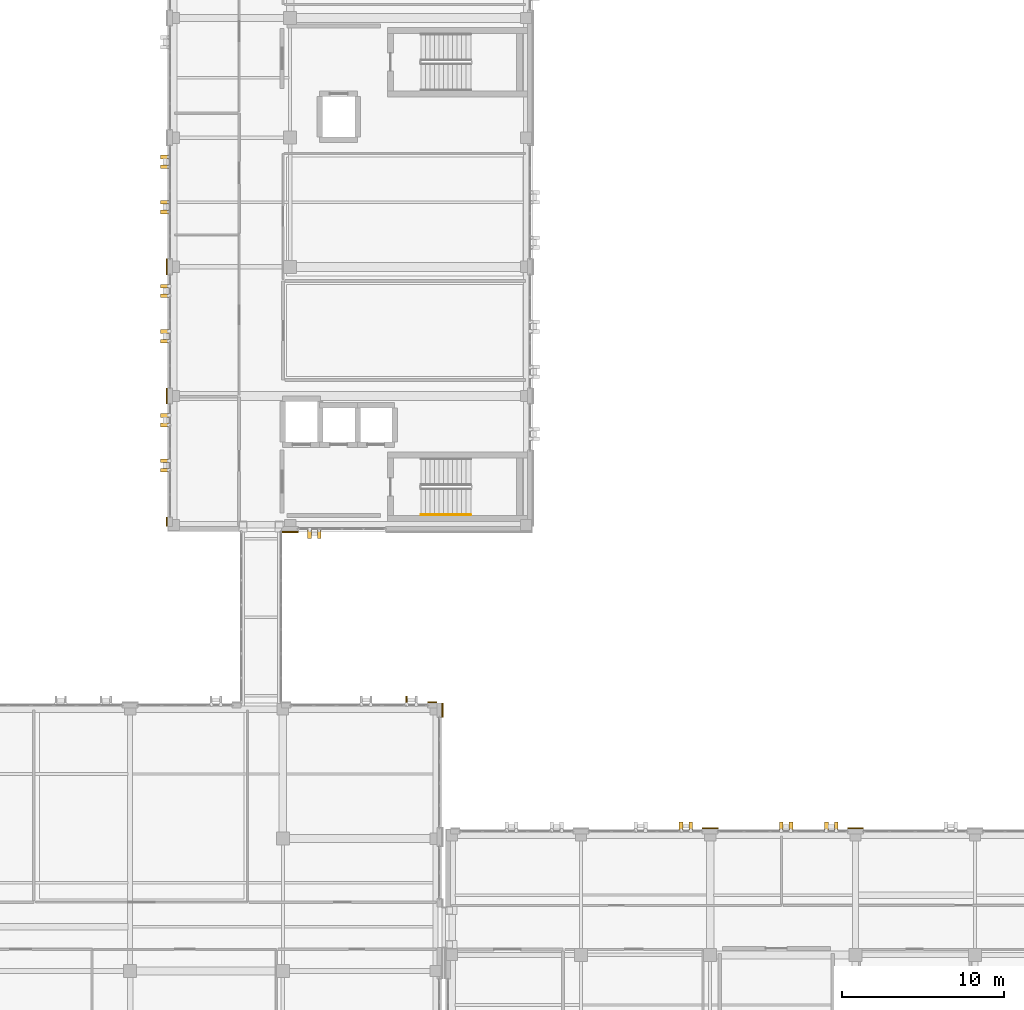
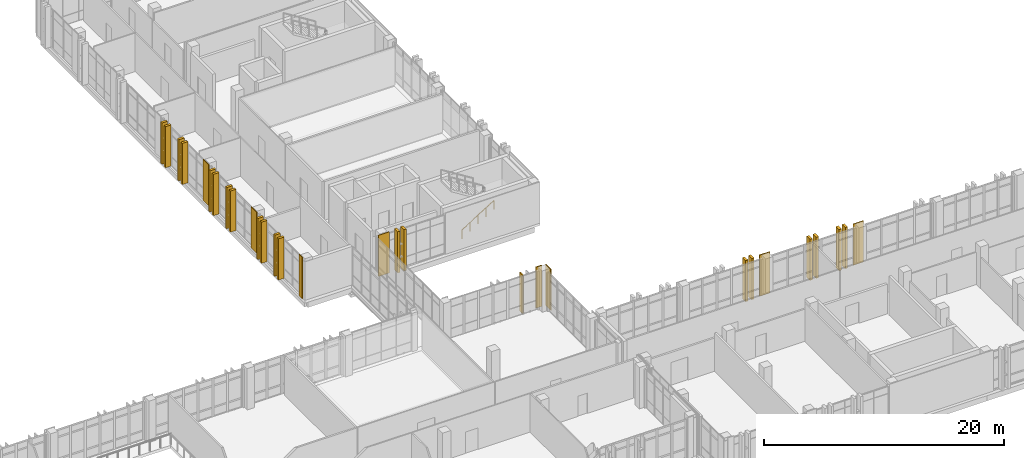
# One storey, part 180 of 193: 28 coverings, 1 railing, 1 shading device.
"""IFC4 building model written with IfcOpenShell, lengths in metres."""

from ifc_helpers import new_model, si_unit, direction, frame, origin, origin_2d, place, context, subcontext, project, spatial, rectangle, circle, extrude, material, layer, layer_set, type_object, element, save


model = new_model("IFC4")

# Units and contexts
model_context = context("Model", 3, precision=1e-05, world=origin(), true_north=direction((0.0, 1.0)))
body_context = subcontext(model_context, "Body", "Model", "MODEL_VIEW")
ifc_project = project(units=[si_unit("LENGTHUNIT", "METRE"), si_unit("AREAUNIT", "SQUARE_METRE"), si_unit("VOLUMEUNIT", "CUBIC_METRE"), si_unit("PLANEANGLEUNIT", "RADIAN"), si_unit("MASSUNIT", "GRAM", prefix="KILO")], contexts=[model_context])

# Site, building, storey
site_placement = place(None, origin())
site = spatial("IfcSite", under=ifc_project, at=site_placement, CompositionType="ELEMENT")
building_placement = place(site_placement, origin())
building = spatial("IfcBuilding", under=site, at=building_placement, Name="Qalavern Law Courts", CompositionType="ELEMENT")
storey_placement = place(building_placement, frame((0.0, 0.0, 10.199951171875)))
storey = spatial("IfcBuildingStorey", under=building, at=storey_placement, Name="L02", CompositionType="ELEMENT", Elevation=10.199951171875)

# Coverings
ifc_material_1 = material(Name="Precast concrete C40/50", Category="concrete")
ifc_layer_1 = layer(ifc_material_1, 0.22998046875)
ifc_layer_set_1 = layer_set([ifc_layer_1], Name="Precast concrete C40/50")
covering_type_1 = type_object("IfcCoveringType", Name="ENV-BLD-2", PredefinedType="CLADDING", material=ifc_layer_set_1)
for number, where, z_axis, x_axis, name in (
    (1, (93.0, 40.864990234375, 0.005126953125), (0.0, 0.0, 1.0), (0.0, -1.0, 0.0), "Absheron stone facade blade 0579"),
    (2, (93.60009765625, 40.864990234375, 0.005126953125), (0.0, 0.0, 1.0), (0.0, -1.0, 0.0), "Absheron stone facade blade 0580"),
    (3, (84.044921875, 64.199951171875, 0.005126953125), (0.0, 0.0, 1.0), (-1.0, 0.0, 0.0), "Absheron stone facade blade 0611"),
    (4, (84.044921875, 63.60009765625, 0.005126953125), (0.0, 0.0, 1.0), (-1.0, 0.0, 0.0), "Absheron stone facade blade 0612"),
    (5, (84.044921875, 61.39990234375, 0.005126953125), (0.0, 0.0, 1.0), (-1.0, 0.0, 0.0), "Absheron stone facade blade 0613"),
    (6, (84.044921875, 60.800048828125, 0.005126953125), (0.0, 0.0, 1.0), (-1.0, 0.0, 0.0), "Absheron stone facade blade 0614"),
    (7, (84.044921875, 56.199951171875, 0.005126953125), (0.0, 0.0, 1.0), (-1.0, 0.0, 0.0), "Absheron stone facade blade 0615"),
    (8, (84.044921875, 55.60009765625, 0.005126953125), (0.0, 0.0, 1.0), (-1.0, 0.0, 0.0), "Absheron stone facade blade 0616"),
    (9, (84.044921875, 53.39990234375, 0.005126953125), (0.0, 0.0, 1.0), (-1.0, 0.0, 0.0), "Absheron stone facade blade 0617"),
    (10, (84.044921875, 52.800048828125, 0.005126953125), (0.0, 0.0, 1.0), (-1.0, 0.0, 0.0), "Absheron stone facade blade 0618"),
    (11, (84.044921875, 48.199951171875, 0.005126953125), (0.0, 0.0, 1.0), (-1.0, 0.0, 0.0), "Absheron stone facade blade 0619"),
    (12, (84.044921875, 47.60009765625, 0.005126953125), (0.0, 0.0, 1.0), (-1.0, 0.0, 0.0), "Absheron stone facade blade 0620"),
    (13, (84.044921875, 45.39990234375, 0.005126953125), (0.0, 0.0, 1.0), (-1.0, 0.0, 0.0), "Absheron stone facade blade 0621"),
    (14, (84.044921875, 44.800048828125, 0.005126953125), (0.0, 0.0, 1.0), (-1.0, 0.0, 0.0), "Absheron stone facade blade 0622"),
    (15, (125.60009765625, 22.7548828125, 0.005126953125), (0.0, 0.0, 1.0), (0.0, 1.0, 0.0), "Absheron stone facade blade 1307"),
    (16, (125.0, 22.7548828125, 0.005126953125), (0.0, 0.0, 1.0), (0.0, 1.0, 0.0), "Absheron stone facade blade 1308"),
    (17, (122.800048828125, 22.7548828125, 0.005126953125), (0.0, 0.0, 1.0), (0.0, 1.0, 0.0), "Absheron stone facade blade 1309"),
    (18, (122.199951171875, 22.7548828125, 0.005126953125), (0.0, 0.0, 1.0), (0.0, 1.0, 0.0), "Absheron stone facade blade 1310"),
    (19, (116.60009765625, 22.7548828125, 0.005126953125), (0.0, 0.0, 1.0), (0.0, 1.0, 0.0), "Absheron stone facade blade 1311"),
    (20, (116.0, 22.7548828125, 0.005126953125), (0.0, 0.0, 1.0), (0.0, 1.0, 0.0), "Absheron stone facade blade 1312"),
):
    element("IfcCovering", number, at=place(storey_placement, frame(where, z_axis=z_axis, x_axis=x_axis)), inside=storey, type_object=covering_type_1, Name=name, PredefinedType="CLADDING", context=body_context, shape_type="SweptSolid", body=[
        extrude(rectangle(XDim=0.5400390625, YDim=0.22998046875, at=origin_2d()), origin(), (0.0, 0.0, 1.0), 4.18994140625),
    ])
ifc_layer_2 = layer(ifc_material_1, 0.072021484375)
ifc_layer_set_2 = layer_set([ifc_layer_2], Name="Precast concrete C40/50")
covering_type_2 = type_object("IfcCoveringType", Name="ENV-CLD-2", PredefinedType="CLADDING", material=ifc_layer_set_2)
covering_1_placement = place(storey_placement, frame((101.23291015625, 29.949951171875, 0.01025390625), z_axis=(0.0, 0.0, 1.0), x_axis=(0.0, 1.0, 0.0)))
element("IfcCovering", 21, at=covering_1_placement, inside=storey, type_object=covering_type_2, Name="V2 Absheron limestone pier facing L02 east 3", PredefinedType="CLADDING", context=body_context, shape_type="SweptSolid", body=[
    extrude(rectangle(XDim=0.8798828125, YDim=0.072021484375, at=origin_2d()), origin(), (0.0, 0.0, 1.0), 4.179931640625),
])
covering_2_placement = place(storey_placement, frame((100.597412109375, 30.43310546875, 0.01025390625), z_axis=(0.0, 0.0, 1.0), x_axis=(-1.0, 0.0, 0.0)))
element("IfcCovering", 22, at=covering_2_placement, inside=storey, type_object=covering_type_2, Name="V2 Absheron limestone pier facing L02 north 1", PredefinedType="CLADDING", context=body_context, shape_type="SweptSolid", body=[
    extrude(rectangle(XDim=0.574951171875, YDim=0.072021484375, at=origin_2d()), origin(), (0.0, 0.0, 1.0), 4.179931640625),
])
covering_3_placement = place(storey_placement, frame((91.77490234375, 40.987060546875, 0.01025390625), z_axis=(0.0, 0.0, 1.0), x_axis=(1.0, 0.0, 0.0)))
element("IfcCovering", 23, at=covering_3_placement, inside=storey, type_object=covering_type_2, Name="V4 Absheron limestone pier facing L02 south 1", PredefinedType="CLADDING", context=body_context, shape_type="SweptSolid", body=[
    extrude(rectangle(XDim=1.030029296875, YDim=0.072021484375, at=origin_2d()), origin(), (0.0, 0.0, 1.0), 4.179931640625),
])
for number, where, z_axis, x_axis, name in (
    (24, (84.1669921875, 57.39990234375, 0.01025390625), (0.0, 0.0, 1.0), (0.0, -1.0, 0.0), "V4 Absheron limestone pier facing L02 west 5"),
    (25, (84.1669921875, 49.39990234375, 0.01025390625), (0.0, 0.0, 1.0), (0.0, -1.0, 0.0), "V4 Absheron limestone pier facing L02 west 6"),
):
    element("IfcCovering", number, at=place(storey_placement, frame(where, z_axis=z_axis, x_axis=x_axis)), inside=storey, type_object=covering_type_2, Name=name, PredefinedType="CLADDING", context=body_context, shape_type="SweptSolid", body=[
        extrude(rectangle(XDim=0.97998046875, YDim=0.072021484375, at=origin_2d()), origin(), (0.0, 0.0, 1.0), 4.179931640625),
    ])
covering_4_placement = place(storey_placement, frame((84.1669921875, 41.62255859375, 0.01025390625), z_axis=(0.0, 0.0, 1.0), x_axis=(0.0, -1.0, 0.0)))
element("IfcCovering", 26, at=covering_4_placement, inside=storey, type_object=covering_type_2, Name="V4 Absheron limestone pier facing L02 west 7", PredefinedType="CLADDING", context=body_context, shape_type="SweptSolid", body=[
    extrude(rectangle(XDim=0.574951171875, YDim=0.072021484375, at=origin_2d()), origin(), (0.0, 0.0, 1.0), 4.179931640625),
])
for number, where, z_axis, x_axis, name in (
    (27, (126.800048828125, 22.633056640625, 0.01025390625), (0.0, 0.0, 1.0), (-1.0, 0.0, 0.0), "V6 Absheron limestone pier facing L02 north 6"),
    (28, (117.800048828125, 22.633056640625, 0.01025390625), (0.0, 0.0, 1.0), (-1.0, 0.0, 0.0), "V6 Absheron limestone pier facing L02 north 7"),
):
    element("IfcCovering", number, at=place(storey_placement, frame(where, z_axis=z_axis, x_axis=x_axis)), inside=storey, type_object=covering_type_2, Name=name, PredefinedType="CLADDING", context=body_context, shape_type="SweptSolid", body=[
        extrude(rectangle(XDim=0.97998046875, YDim=0.072021484375, at=origin_2d()), origin(), (0.0, 0.0, 1.0), 4.179931640625),
    ])

# Shading device
shading_device_type = type_object("IfcShadingDeviceType", Name="ENV-FIN-2", PredefinedType="USERDEFINED", material=ifc_material_1)
shading_device_placement = place(storey_placement, frame((99.0, 30.554931640625, 0.010009765625), z_axis=(0.0, 0.0, 1.0), x_axis=(0.0, 1.0, 0.0)))
element("IfcShadingDevice", 29, at=shading_device_placement, inside=storey, type_object=shading_device_type, Name="Hall solar shading fin 0072", ObjectType="FIN", PredefinedType="USERDEFINED", context=body_context, shape_type="SweptSolid", body=[
    extrude(rectangle(XDim=0.5400390625, YDim=0.10498046875, at=origin_2d()), origin(), (0.0, 0.0, 1.0), 3.89501953125),
])

# Railing
ifc_material_2 = material(Name="Steel S355", Category="steel")
railing_type = type_object("IfcRailingType", Name="INT-HRAIL-920", PredefinedType="HANDRAIL", material=ifc_material_2)
railing_placement = place(storey_placement, frame((99.89990234375, 42.050048828125, 0.175048828125)))
element("IfcRailing", 30, at=railing_placement, inside=storey, type_object=railing_type, Name="L02 ST-K1A stair handrail 1", PredefinedType="HANDRAIL", context=body_context, shape_type="SweptSolid", body=[
    extrude(circle(Radius=0.02392578125, at=origin_2d()), frame((0.0, 0.0, 0.8759765625), z_axis=(0.847998304005, 0.0, 0.529998940003), x_axis=(0.0, 1.0, 0.0)), (0.0, 0.0, 1.0), 3.632080078125),
    extrude(circle(Radius=0.02099609375, at=origin_2d()), origin(), (0.0, 0.0, 1.0), 0.851806640625),
    extrude(circle(Radius=0.02099609375, at=origin_2d()), frame((0.77001953125, 0.0, 0.481201171875)), (0.0, 0.0, 1.0), 0.851806640625),
    extrude(circle(Radius=0.02099609375, at=origin_2d()), frame((1.5400390625, 0.0, 0.96240234375)), (0.0, 0.0, 1.0), 0.851806640625),
    extrude(circle(Radius=0.02099609375, at=origin_2d()), frame((2.31005859375, 0.0, 1.44384765625)), (0.0, 0.0, 1.0), 0.851806640625),
    extrude(circle(Radius=0.02099609375, at=origin_2d()), frame((3.080078125, 0.0, 1.925048828125)), (0.0, 0.0, 1.0), 0.851806640625),
])

save(model, "model.ifc")
